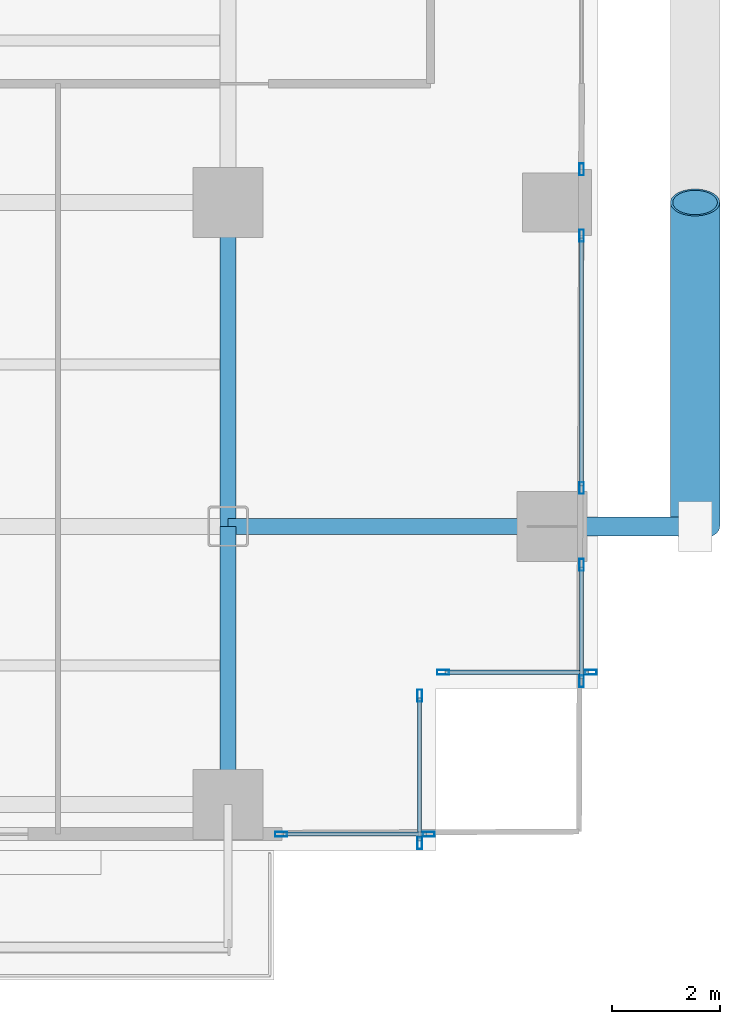
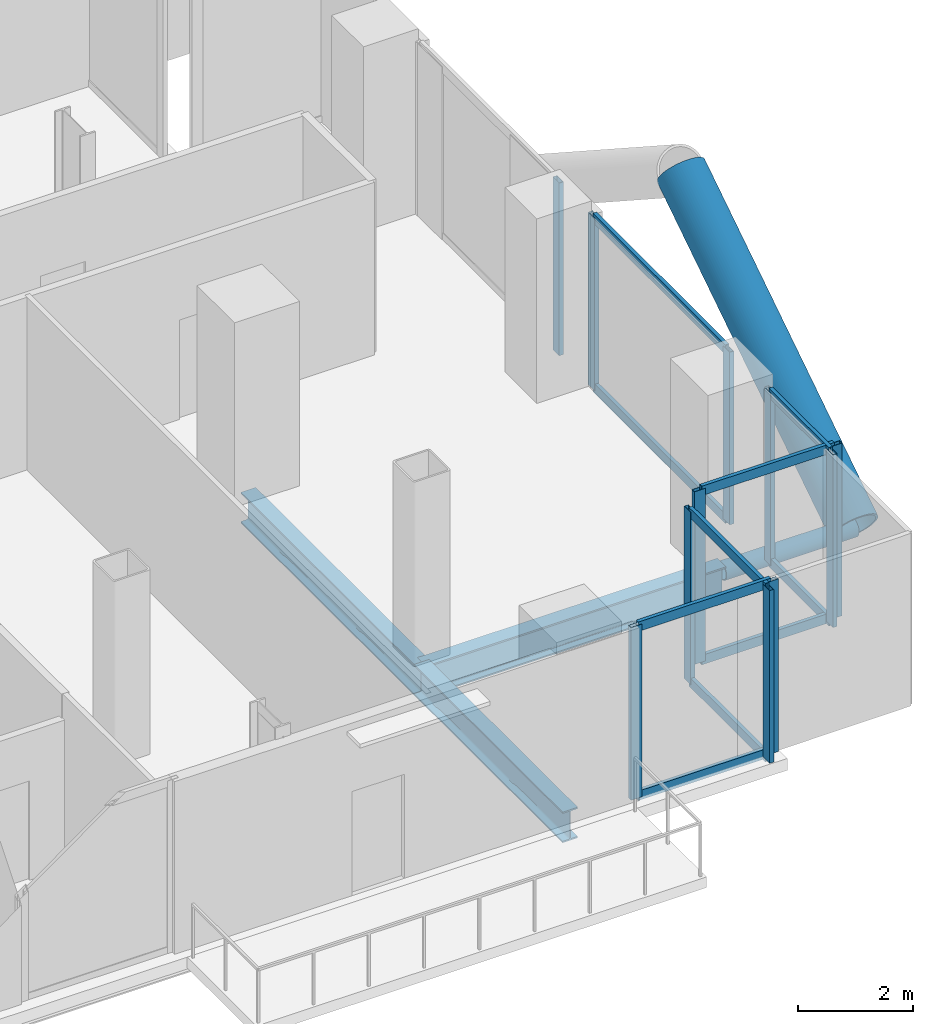
# One storey, part 10 of 27: 23 members, 3 beams, 6 elements without a shape of their own.
"""IFC4 building model written with IfcOpenShell, lengths in metres."""

from ifc_helpers import new_model, si_unit, direction, frame, origin, origin_2d, place, context, subcontext, project, spatial, hollow_rectangle, hollow_circle, i_section, extrude, material, layer, layer_set, material_profile, profile_set, type_object, element, aggregate, save


model = new_model("IFC4")

# Units and contexts
model_context = context("Model", 3, precision=1e-05, world=origin(), true_north=direction((0.0, 1.0)))
body_context = subcontext(model_context, "Body", "Model", "MODEL_VIEW")
ifc_project = project(units=[si_unit("LENGTHUNIT", "METRE"), si_unit("AREAUNIT", "SQUARE_METRE"), si_unit("VOLUMEUNIT", "CUBIC_METRE"), si_unit("PLANEANGLEUNIT", "RADIAN"), si_unit("MASSUNIT", "GRAM", prefix="KILO"), si_unit("THERMODYNAMICTEMPERATUREUNIT", "KELVIN"), si_unit("POWERUNIT", "WATT")], contexts=[model_context])

# Site, building, storey
site_placement = place(None, origin())
site = spatial("IfcSite", under=ifc_project, at=site_placement, CompositionType="ELEMENT")
building_placement = place(site_placement, origin())
building = spatial("IfcBuilding", under=site, at=building_placement, Name="Svarakhadi Broadcast Tower", CompositionType="ELEMENT")
storey_placement = place(building_placement, frame((0.0, 0.0, 40.199951171875)))
storey = spatial("IfcBuildingStorey", under=building, at=storey_placement, Name="L08", CompositionType="ELEMENT", Elevation=40.199951171875)

# Curtain wall, member
ifc_material_1 = material(Name="Anodised Bronze Aluminium AA 6063-T6", Category="aluminium")
ifc_layer = layer(ifc_material_1, 0.219970703125)
ifc_layer_set = layer_set([ifc_layer], Name="Anodised Bronze Aluminium AA 6063-T6")
curtain_wall_type = type_object("IfcCurtainWallType", Name="CW_Sys_02", PredefinedType="NOTDEFINED", material=ifc_layer_set)
curtain_wall_1_placement = place(storey_placement, origin())
curtain_wall_1 = element("IfcCurtainWall", 1, at=curtain_wall_1_placement, inside=storey, type_object=curtain_wall_type, Name="L08 Unitised Facade Curtain Wall 13 Bay 2", PredefinedType="NOTDEFINED")
ifc_material_profile_1 = material_profile(ifc_material_1, hollow_rectangle(XDim=0.0849609375, YDim=0.219970703125, WallThickness=0.006103515625, at=origin_2d()), Name="ALU MULLION 220x85x6")
ifc_profile_set_1 = profile_set([ifc_material_profile_1], Name="Anodised Bronze Aluminium AA 6063-T6")
member_type_1 = type_object("IfcMemberType", Name="CW_Sys_02_Mul", PredefinedType="MULLION", material=ifc_profile_set_1)
member_1_placement = place(storey_placement, frame((53.699951171875, 12.612548828125, 0.0), z_axis=(0.0, 0.0, 1.0), x_axis=(1.0, 0.0, 0.0)))
member_1 = element("IfcMember", 2, at=member_1_placement, type_object=member_type_1, Name="CW-02 mullion 2", PredefinedType="MULLION", context=body_context, shape_type="SweptSolid", body=[
    extrude(hollow_rectangle(XDim=0.0849609375, YDim=0.219970703125, WallThickness=0.006103515625, at=origin_2d()), origin(), (0.0, 0.0, 1.0), 3.650146484375),
])
aggregate(curtain_wall_1, [member_1])

# Curtain wall, members
curtain_wall_2_placement = place(storey_placement, origin())
curtain_wall_2 = element("IfcCurtainWall", 3, at=curtain_wall_2_placement, inside=storey, type_object=curtain_wall_type, Name="L08 Unitised Facade Curtain Wall 13 Bay 3", PredefinedType="NOTDEFINED")
member_2_placement = place(storey_placement, frame((53.699951171875, 11.387451171875, 0.0), z_axis=(0.0, 0.0, 1.0), x_axis=(1.0, 0.0, 0.0)))
member_2 = element("IfcMember", 4, at=member_2_placement, type_object=member_type_1, Name="CW-02 mullion 1", PredefinedType="MULLION", context=body_context, shape_type="SweptSolid", body=[
    extrude(hollow_rectangle(XDim=0.0849609375, YDim=0.219970703125, WallThickness=0.006103515625, at=origin_2d()), origin(), (0.0, 0.0, 1.0), 3.650146484375),
])
member_3_placement = place(storey_placement, frame((53.699951171875, 6.71240234375, 0.0), z_axis=(0.0, 0.0, 1.0), x_axis=(1.0, 0.0, 0.0)))
member_3 = element("IfcMember", 5, at=member_3_placement, type_object=member_type_1, Name="CW-02 mullion 2", PredefinedType="MULLION", context=body_context, shape_type="SweptSolid", body=[
    extrude(hollow_rectangle(XDim=0.0849609375, YDim=0.219970703125, WallThickness=0.006103515625, at=origin_2d()), origin(), (0.0, 0.0, 1.0), 3.650146484375),
])

curtain_wall_3_placement = place(storey_placement, origin())
curtain_wall_3 = element("IfcCurtainWall", 6, at=curtain_wall_3_placement, inside=storey, type_object=curtain_wall_type, Name="L08 Unitised Facade Curtain Wall 13 Bay 4", PredefinedType="NOTDEFINED")
member_4_placement = place(storey_placement, frame((53.699951171875, 5.28759765625, 0.0), z_axis=(0.0, 0.0, 1.0), x_axis=(1.0, 0.0, 0.0)))
member_4 = element("IfcMember", 7, at=member_4_placement, type_object=member_type_1, Name="CW-02 mullion 1", PredefinedType="MULLION", context=body_context, shape_type="SweptSolid", body=[
    extrude(hollow_rectangle(XDim=0.0849609375, YDim=0.219970703125, WallThickness=0.006103515625, at=origin_2d()), origin(), (0.0, 0.0, 1.0), 3.650146484375),
])
member_5_placement = place(storey_placement, frame((53.699951171875, 3.132568359375, 0.0), z_axis=(0.0, 0.0, 1.0), x_axis=(1.0, 0.0, 0.0)))
member_5 = element("IfcMember", 8, at=member_5_placement, type_object=member_type_1, Name="CW-02 mullion 2", PredefinedType="MULLION", context=body_context, shape_type="SweptSolid", body=[
    extrude(hollow_rectangle(XDim=0.0849609375, YDim=0.219970703125, WallThickness=0.006103515625, at=origin_2d()), origin(), (0.0, 0.0, 1.0), 3.650146484375),
])

curtain_wall_4_placement = place(storey_placement, origin())
curtain_wall_4 = element("IfcCurtainWall", 9, at=curtain_wall_4_placement, inside=storey, type_object=curtain_wall_type, Name="L08 Unitised Facade Curtain Wall 14", PredefinedType="NOTDEFINED")
member_6_placement = place(storey_placement, frame((53.867431640625, 3.300048828125, 0.0), z_axis=(0.0, 0.0, 1.0), x_axis=(0.0, -1.0, 0.0)))
member_6 = element("IfcMember", 10, at=member_6_placement, type_object=member_type_1, Name="CW-02 mullion 1", PredefinedType="MULLION", context=body_context, shape_type="SweptSolid", body=[
    extrude(hollow_rectangle(XDim=0.0849609375, YDim=0.219970703125, WallThickness=0.006103515625, at=origin_2d()), origin(), (0.0, 0.0, 1.0), 3.650146484375),
])
member_7_placement = place(storey_placement, frame((51.132568359375, 3.300048828125, 0.0), z_axis=(0.0, 0.0, 1.0), x_axis=(0.0, -1.0, 0.0)))
member_7 = element("IfcMember", 11, at=member_7_placement, type_object=member_type_1, Name="CW-02 mullion 2", PredefinedType="MULLION", context=body_context, shape_type="SweptSolid", body=[
    extrude(hollow_rectangle(XDim=0.0849609375, YDim=0.219970703125, WallThickness=0.006103515625, at=origin_2d()), origin(), (0.0, 0.0, 1.0), 3.650146484375),
])

curtain_wall_5_placement = place(storey_placement, origin())
curtain_wall_5 = element("IfcCurtainWall", 12, at=curtain_wall_5_placement, inside=storey, type_object=curtain_wall_type, Name="L08 Unitised Facade Curtain Wall 15", PredefinedType="NOTDEFINED")
member_8_placement = place(storey_placement, frame((50.699951171875, 2.867431640625, 0.0), z_axis=(0.0, 0.0, 1.0), x_axis=(1.0, 0.0, 0.0)))
member_8 = element("IfcMember", 13, at=member_8_placement, type_object=member_type_1, Name="CW-02 mullion 1", PredefinedType="MULLION", context=body_context, shape_type="SweptSolid", body=[
    extrude(hollow_rectangle(XDim=0.0849609375, YDim=0.219970703125, WallThickness=0.006103515625, at=origin_2d()), origin(), (0.0, 0.0, 1.0), 3.650146484375),
])
member_9_placement = place(storey_placement, frame((50.699951171875, 0.132568359375, 0.0), z_axis=(0.0, 0.0, 1.0), x_axis=(1.0, 0.0, 0.0)))
member_9 = element("IfcMember", 14, at=member_9_placement, type_object=member_type_1, Name="CW-02 mullion 2", PredefinedType="MULLION", context=body_context, shape_type="SweptSolid", body=[
    extrude(hollow_rectangle(XDim=0.0849609375, YDim=0.219970703125, WallThickness=0.006103515625, at=origin_2d()), origin(), (0.0, 0.0, 1.0), 3.650146484375),
])

curtain_wall_6_placement = place(storey_placement, origin())
curtain_wall_6 = element("IfcCurtainWall", 15, at=curtain_wall_6_placement, inside=storey, type_object=curtain_wall_type, Name="L08 South Curtain Wall 16", PredefinedType="NOTDEFINED")
member_10_placement = place(storey_placement, frame((50.867431640625, 0.300048828125, 0.0), z_axis=(0.0, 0.0, 1.0), x_axis=(0.0, -1.0, 0.0)))
member_10 = element("IfcMember", 16, at=member_10_placement, type_object=member_type_1, Name="CW-02 mullion 1", PredefinedType="MULLION", context=body_context, shape_type="SweptSolid", body=[
    extrude(hollow_rectangle(XDim=0.0849609375, YDim=0.219970703125, WallThickness=0.006103515625, at=origin_2d()), origin(), (0.0, 0.0, 1.0), 3.650146484375),
])
member_11_placement = place(storey_placement, frame((48.132568359375, 0.300048828125, 0.0), z_axis=(0.0, 0.0, 1.0), x_axis=(0.0, -1.0, 0.0)))
member_11 = element("IfcMember", 17, at=member_11_placement, type_object=member_type_1, Name="CW-02 mullion 2", PredefinedType="MULLION", context=body_context, shape_type="SweptSolid", body=[
    extrude(hollow_rectangle(XDim=0.0849609375, YDim=0.219970703125, WallThickness=0.006103515625, at=origin_2d()), origin(), (0.0, 0.0, 1.0), 3.650146484375),
])

# Member
ifc_material_profile_2 = material_profile(ifc_material_1, hollow_rectangle(XDim=0.074951171875, YDim=0.199951171875, WallThickness=0.0048828125, at=origin_2d()), Name="ALU TRANSOM 200x75x5")
ifc_profile_set_2 = profile_set([ifc_material_profile_2], Name="Anodised Bronze Aluminium AA 6063-T6")
member_type_2 = type_object("IfcMemberType", Name="CW_Sys_02_Trn", PredefinedType="USERDEFINED", material=ifc_profile_set_2)
member_12_placement = place(storey_placement, frame((53.699951171875, 11.344970703125, 0.03759765625), z_axis=(0.0, -1.0, 0.0), x_axis=(1.0, 0.0, 0.0)))
member_12 = element("IfcMember", 18, at=member_12_placement, type_object=member_type_2, Name="CW-02 transom 1.1", ObjectType="TRANSOM", PredefinedType="USERDEFINED", context=body_context, shape_type="SweptSolid", body=[
    extrude(hollow_rectangle(XDim=0.074951171875, YDim=0.199951171875, WallThickness=0.0048828125, at=origin_2d()), origin(), (0.0, 0.0, 1.0), 4.590087890625),
])

member_13_placement = place(storey_placement, frame((53.699951171875, 11.344970703125, 3.612548828125), z_axis=(0.0, -1.0, 0.0), x_axis=(1.0, 0.0, 0.0)))
member_13 = element("IfcMember", 19, at=member_13_placement, type_object=member_type_2, Name="CW-02 transom 1.2", ObjectType="TRANSOM", PredefinedType="USERDEFINED", context=body_context, shape_type="SweptSolid", body=[
    extrude(hollow_rectangle(XDim=0.074951171875, YDim=0.199951171875, WallThickness=0.0048828125, at=origin_2d()), origin(), (0.0, 0.0, 1.0), 4.590087890625),
])

aggregate(curtain_wall_2, [member_2, member_3, member_12, member_13])

member_14_placement = place(storey_placement, frame((53.699951171875, 5.2451171875, 0.03759765625), z_axis=(0.0, -1.0, 0.0), x_axis=(1.0, 0.0, 0.0)))
member_14 = element("IfcMember", 20, at=member_14_placement, type_object=member_type_2, Name="CW-02 transom 1.1", ObjectType="TRANSOM", PredefinedType="USERDEFINED", context=body_context, shape_type="SweptSolid", body=[
    extrude(hollow_rectangle(XDim=0.074951171875, YDim=0.199951171875, WallThickness=0.0048828125, at=origin_2d()), origin(), (0.0, 0.0, 1.0), 2.070068359375),
])

member_15_placement = place(storey_placement, frame((53.699951171875, 5.2451171875, 3.612548828125), z_axis=(0.0, -1.0, 0.0), x_axis=(1.0, 0.0, 0.0)))
member_15 = element("IfcMember", 21, at=member_15_placement, type_object=member_type_2, Name="CW-02 transom 1.2", ObjectType="TRANSOM", PredefinedType="USERDEFINED", context=body_context, shape_type="SweptSolid", body=[
    extrude(hollow_rectangle(XDim=0.074951171875, YDim=0.199951171875, WallThickness=0.0048828125, at=origin_2d()), origin(), (0.0, 0.0, 1.0), 2.070068359375),
])

aggregate(curtain_wall_3, [member_4, member_5, member_14, member_15])

member_16_placement = place(storey_placement, frame((53.824951171875, 3.300048828125, 0.03759765625), z_axis=(-1.0, 0.0, 0.0), x_axis=(0.0, -1.0, 0.0)))
member_16 = element("IfcMember", 22, at=member_16_placement, type_object=member_type_2, Name="CW-02 transom 1.1", ObjectType="TRANSOM", PredefinedType="USERDEFINED", context=body_context, shape_type="SweptSolid", body=[
    extrude(hollow_rectangle(XDim=0.074951171875, YDim=0.199951171875, WallThickness=0.0048828125, at=origin_2d()), origin(), (0.0, 0.0, 1.0), 2.64990234375),
])

member_17_placement = place(storey_placement, frame((53.824951171875, 3.300048828125, 3.612548828125), z_axis=(-1.0, 0.0, 0.0), x_axis=(0.0, -1.0, 0.0)))
member_17 = element("IfcMember", 23, at=member_17_placement, type_object=member_type_2, Name="CW-02 transom 1.2", ObjectType="TRANSOM", PredefinedType="USERDEFINED", context=body_context, shape_type="SweptSolid", body=[
    extrude(hollow_rectangle(XDim=0.074951171875, YDim=0.199951171875, WallThickness=0.0048828125, at=origin_2d()), origin(), (0.0, 0.0, 1.0), 2.64990234375),
])

aggregate(curtain_wall_4, [member_6, member_7, member_16, member_17])

member_18_placement = place(storey_placement, frame((50.699951171875, 2.824951171875, 0.03759765625), z_axis=(0.0, -1.0, 0.0), x_axis=(1.0, 0.0, 0.0)))
member_18 = element("IfcMember", 24, at=member_18_placement, type_object=member_type_2, Name="CW-02 transom 1.1", ObjectType="TRANSOM", PredefinedType="USERDEFINED", context=body_context, shape_type="SweptSolid", body=[
    extrude(hollow_rectangle(XDim=0.074951171875, YDim=0.199951171875, WallThickness=0.0048828125, at=origin_2d()), origin(), (0.0, 0.0, 1.0), 2.64990234375),
])

member_19_placement = place(storey_placement, frame((50.699951171875, 2.824951171875, 3.612548828125), z_axis=(0.0, -1.0, 0.0), x_axis=(1.0, 0.0, 0.0)))
member_19 = element("IfcMember", 25, at=member_19_placement, type_object=member_type_2, Name="CW-02 transom 1.2", ObjectType="TRANSOM", PredefinedType="USERDEFINED", context=body_context, shape_type="SweptSolid", body=[
    extrude(hollow_rectangle(XDim=0.074951171875, YDim=0.199951171875, WallThickness=0.0048828125, at=origin_2d()), origin(), (0.0, 0.0, 1.0), 2.64990234375),
])

aggregate(curtain_wall_5, [member_8, member_9, member_18, member_19])

member_20_placement = place(storey_placement, frame((50.824951171875, 0.300048828125, 0.03759765625), z_axis=(-1.0, 0.0, 0.0), x_axis=(0.0, -1.0, 0.0)))
member_20 = element("IfcMember", 26, at=member_20_placement, type_object=member_type_2, Name="CW-02 transom 1.1", ObjectType="TRANSOM", PredefinedType="USERDEFINED", context=body_context, shape_type="SweptSolid", body=[
    extrude(hollow_rectangle(XDim=0.074951171875, YDim=0.199951171875, WallThickness=0.0048828125, at=origin_2d()), origin(), (0.0, 0.0, 1.0), 2.64990234375),
])

member_21_placement = place(storey_placement, frame((50.824951171875, 0.300048828125, 3.612548828125), z_axis=(-1.0, 0.0, 0.0), x_axis=(0.0, -1.0, 0.0)))
member_21 = element("IfcMember", 27, at=member_21_placement, type_object=member_type_2, Name="CW-02 transom 1.2", ObjectType="TRANSOM", PredefinedType="USERDEFINED", context=body_context, shape_type="SweptSolid", body=[
    extrude(hollow_rectangle(XDim=0.074951171875, YDim=0.199951171875, WallThickness=0.0048828125, at=origin_2d()), origin(), (0.0, 0.0, 1.0), 2.64990234375),
])

aggregate(curtain_wall_6, [member_10, member_11, member_20, member_21])

# Members
ifc_material_2 = material(Name="Steel S460ML (IS 2062 E450BR)", Category="steel")
ifc_material_profile_3 = material_profile(ifc_material_2, hollow_circle(Radius=0.45703125, WallThickness=0.044921875, at=origin_2d()), Name="CHS 914x45")
ifc_profile_set_3 = profile_set([ifc_material_profile_3], Name="Steel S460ML (IS 2062 E450BR)")
member_type_3 = type_object("IfcMemberType", Name="Exo_Brace_CHS914", PredefinedType="BRACE", material=ifc_profile_set_3)
member_22_placement = place(storey_placement, frame((55.800048828125, 6.0, -0.427734375), z_axis=(0.0, 0.838449851971, 0.544978757136), x_axis=(-1.0, 0.0, 0.0)))
element("IfcMember", 28, at=member_22_placement, inside=storey, type_object=member_type_3, Name="L08 Exposed Bronze Exoskeleton Diagonal E10", PredefinedType="BRACE", context=body_context, shape_type="SweptSolid", body=[
    extrude(hollow_circle(Radius=0.45703125, WallThickness=0.044921875, at=origin_2d()), origin(), (0.0, 0.0, 1.0), 7.156005859375),
])
ifc_material_profile_4 = material_profile(ifc_material_2, hollow_circle(Radius=0.177734375, WallThickness=0.02001953125, at=origin_2d()), Name="CHS 355.6x20")
ifc_profile_set_4 = profile_set([ifc_material_profile_4], Name="Steel S460ML (IS 2062 E450BR)")
member_type_4 = type_object("IfcMemberType", Name="Exo_Radial_Strut_Z1", PredefinedType="STRUT", material=ifc_profile_set_4)
member_23_placement = place(storey_placement, frame((55.800048828125, 6.0, -0.427734375), z_axis=(-1.0, 0.0, 0.0), x_axis=(0.0, -1.0, 0.0)))
element("IfcMember", 29, at=member_23_placement, inside=storey, type_object=member_type_4, Name="L08 Exoskeleton Radial Tie Strut E09", PredefinedType="STRUT", context=body_context, shape_type="SweptSolid", body=[
    extrude(hollow_circle(Radius=0.177734375, WallThickness=0.02001953125, at=origin_2d()), origin(), (0.0, 0.0, 1.0), 2.650146484375),
])

# Beams
ifc_material_3 = material(Name="Steel S355J2 (IS 2062 E350C)", Category="steel")
ifc_material_profile_5 = material_profile(ifc_material_3, i_section(OverallWidth=0.300048828125, OverallDepth=0.64990234375, WebThickness=0.01611328125, FlangeThickness=0.031005859375, FilletRadius=0.027099609375, at=origin_2d()), Name="WPB 650x300x225")
ifc_profile_set_5 = profile_set([ifc_material_profile_5], Name="Steel S355J2 (IS 2062 E350C)")
beam_type = type_object("IfcBeamType", Name="Girder_WPB650", PredefinedType="USERDEFINED", material=ifc_profile_set_5)
beam_1_placement = place(storey_placement, frame((47.14990234375, 6.0, -0.574951171875), z_axis=(1.0, 0.0, 0.0), x_axis=(0.0, 1.0, 0.0)))
element("IfcBeam", 30, at=beam_1_placement, inside=storey, type_object=beam_type, Name="L08 Primary E-W Girder G018", ObjectType="GIRDER", PredefinedType="USERDEFINED", context=body_context, shape_type="SweptSolid", body=[
    extrude(i_section(OverallWidth=0.300048828125, OverallDepth=0.64990234375, WebThickness=0.01611328125, FlangeThickness=0.031005859375, FilletRadius=0.027099609375, at=origin_2d()), origin(), (0.0, 0.0, 1.0), 6.0),
])
beam_2_placement = place(storey_placement, frame((47.14990234375, 0.85009765625, -0.574951171875), z_axis=(0.0, 1.0, 0.0), x_axis=(-1.0, 0.0, 0.0)))
element("IfcBeam", 31, at=beam_2_placement, inside=storey, type_object=beam_type, Name="L08 Primary N-S Girder G082", ObjectType="GIRDER", PredefinedType="USERDEFINED", context=body_context, shape_type="SweptSolid", body=[
    extrude(i_section(OverallWidth=0.300048828125, OverallDepth=0.64990234375, WebThickness=0.01611328125, FlangeThickness=0.031005859375, FilletRadius=0.027099609375, at=origin_2d()), origin(), (0.0, 0.0, 1.0), 5.14990234375),
])
beam_3_placement = place(storey_placement, frame((47.14990234375, 6.0, -0.574951171875), z_axis=(0.0, 1.0, 0.0), x_axis=(-1.0, 0.0, 0.0)))
element("IfcBeam", 32, at=beam_3_placement, inside=storey, type_object=beam_type, Name="L08 Primary N-S Girder G083", ObjectType="GIRDER", PredefinedType="USERDEFINED", context=body_context, shape_type="SweptSolid", body=[
    extrude(i_section(OverallWidth=0.300048828125, OverallDepth=0.64990234375, WebThickness=0.01611328125, FlangeThickness=0.031005859375, FilletRadius=0.027099609375, at=origin_2d()), origin(), (0.0, 0.0, 1.0), 6.0),
])

save(model, "model.ifc")
